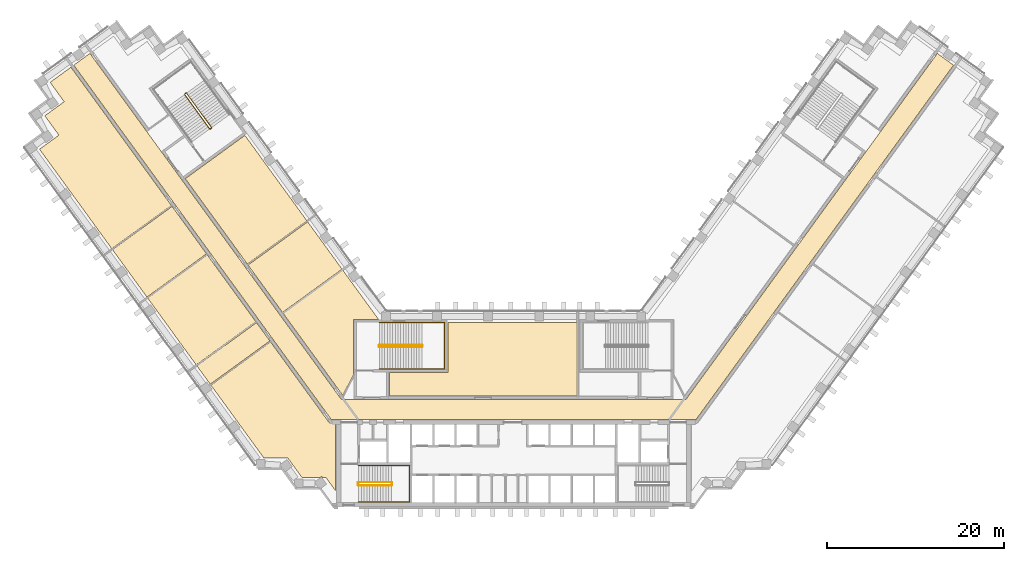
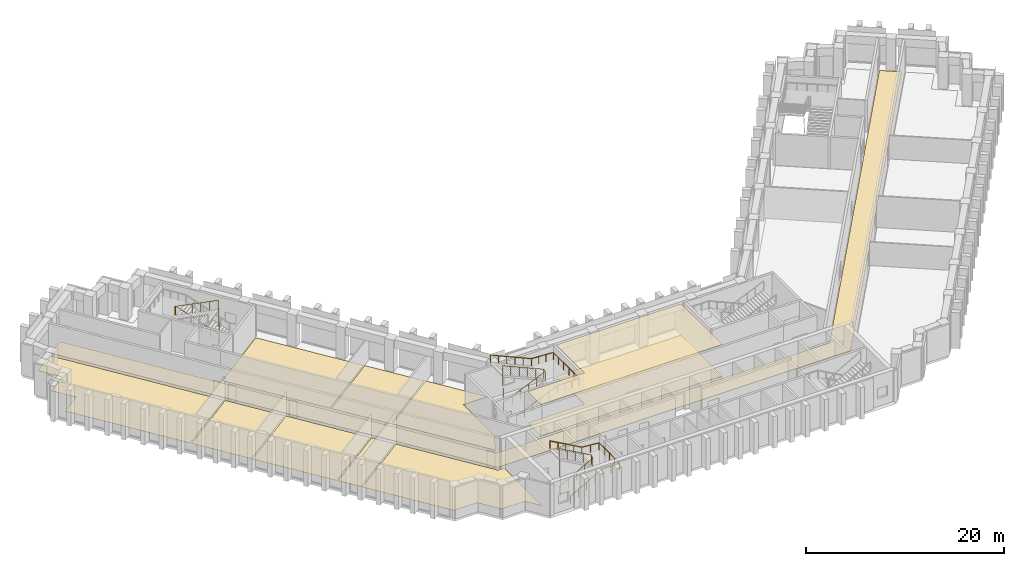
# One storey, part 12 of 14: 11 coverings, 5 railings.
"""IFC4 building model written with IfcOpenShell, lengths in metres."""

from ifc_helpers import new_model, si_unit, direction, frame, origin, origin_2d, place, context, subcontext, project, spatial, polyline, circle, outline, extrude, material, layer, layer_set, type_object, element, save


model = new_model("IFC4")

# Units and contexts
model_context = context("Model", 3, precision=1e-05, world=origin(), true_north=direction((0.0, 1.0)))
body_context = subcontext(model_context, "Body", "Model", "MODEL_VIEW")
ifc_project = project(units=[si_unit("LENGTHUNIT", "METRE"), si_unit("AREAUNIT", "SQUARE_METRE"), si_unit("VOLUMEUNIT", "CUBIC_METRE"), si_unit("PLANEANGLEUNIT", "RADIAN"), si_unit("MASSUNIT", "GRAM", prefix="KILO")], contexts=[model_context])

# Site, building, storey
site_placement = place(None, origin())
site = spatial("IfcSite", under=ifc_project, at=site_placement, CompositionType="ELEMENT")
building_placement = place(site_placement, origin())
building = spatial("IfcBuilding", under=site, at=building_placement, Name="Quipu Civic Tower", CompositionType="ELEMENT")
storey_placement = place(building_placement, frame((0.0, 0.0, 20.5)))
storey = spatial("IfcBuildingStorey", under=building, at=storey_placement, Name="L04", CompositionType="ELEMENT", Elevation=20.5)

# Coverings
ifc_material_1 = material(Name="Carpet tile on raised access floor")
ifc_layer_1 = layer(ifc_material_1, 0.02001953125)
ifc_layer_set_1 = layer_set([ifc_layer_1], Name="Carpet tile on raised access floor")
covering_type_1 = type_object("IfcCoveringType", Name="Carpet tile floor finish 20", PredefinedType="FLOORING", material=ifc_layer_set_1)
covering_1_placement = place(storey_placement, origin())
element("IfcCovering", 1, at=covering_1_placement, inside=storey, type_object=covering_type_1, Name="Carpet tile floor finish 20", PredefinedType="FLOORING", context=body_context, shape_type="SweptSolid", body=[
    extrude(outline(polyline([(-53.47998046875, 29.35791015625), (-51.297119140625, 30.945068359375), (-52.883056640625, 33.12890625), (-50.698974609375, 34.717041015625), (-52.284912109375, 36.90087890625), (-49.930908203125, 38.611083984375), (-38.60791015625, 23.02490234375), (-45.3310546875, 18.14111328125), (-53.47998046875, 29.35791015625)])), origin(), (0.0, 0.0, 1.0), 0.02001953125),
])
covering_2_placement = place(storey_placement, origin())
element("IfcCovering", 2, at=covering_2_placement, inside=storey, type_object=covering_type_1, Name="Carpet tile floor finish 20", PredefinedType="FLOORING", context=body_context, shape_type="SweptSolid", body=[
    extrude(outline(polyline([(-37.0380859375, 26.0380859375), (-30.31494140625, 30.922119140625), (-23.318115234375, 21.2900390625), (-30.041015625, 16.406005859375), (-37.0380859375, 26.0380859375)])), origin(), (0.0, 0.0, 1.0), 0.02001953125),
])
covering_3_placement = place(storey_placement, origin())
element("IfcCovering", 3, at=covering_3_placement, inside=storey, type_object=covering_type_1, Name="Carpet tile floor finish 20", PredefinedType="FLOORING", context=body_context, shape_type="SweptSolid", body=[
    extrude(outline(polyline([(-34.138916015625, 2.738037109375), (-27.416015625, 7.62109375), (-20.77490234375, -1.51904296875), (-20.070068359375, -1.52001953125), (-20.070068359375, -9.195068359375), (-21.196044921875, -7.64599609375), (-21.597900390625, -7.64599609375), (-21.64111328125, -7.5869140625), (-21.64404296875, -7.5830078125), (-21.64697265625, -7.580078125), (-21.65087890625, -7.576904296875), (-21.655029296875, -7.573974609375), (-21.658935546875, -7.572021484375), (-21.6640625, -7.570068359375), (-21.6689453125, -7.568115234375), (-21.673095703125, -7.56689453125), (-21.677978515625, -7.56689453125), (-21.68310546875, -7.56689453125), (-21.68798828125, -7.56689453125), (-21.693115234375, -7.568115234375), (-21.697998046875, -7.569091796875), (-21.701904296875, -7.571044921875), (-21.7060546875, -7.572998046875), (-21.7109375, -7.575927734375), (-21.806884765625, -7.64599609375), (-23.89501953125, -7.64599609375), (-25.48193359375, -5.4619140625), (-28.181884765625, -5.4609375), (-34.138916015625, 2.738037109375)])), origin(), (0.0, 0.0, 1.0), 0.02001953125),
])
covering_4_placement = place(storey_placement, origin())
element("IfcCovering", 4, at=covering_4_placement, inside=storey, type_object=covering_type_1, Name="Carpet tile floor finish 20", PredefinedType="FLOORING", context=body_context, shape_type="SweptSolid", body=[
    extrude(outline(polyline([(-41.281005859375, 12.56689453125), (-34.556884765625, 17.450927734375), (-29.0859375, 9.9189453125), (-35.80908203125, 5.034912109375), (-41.281005859375, 12.56689453125)])), origin(), (0.0, 0.0, 1.0), 0.02001953125),
])
covering_5_placement = place(storey_placement, origin())
element("IfcCovering", 5, at=covering_5_placement, inside=storey, type_object=covering_type_1, Name="Carpet tile floor finish 20", PredefinedType="FLOORING", context=body_context, shape_type="SweptSolid", body=[
    extrude(outline(polyline([(-29.9580078125, 16.29296875), (-23.235107421875, 21.177001953125), (-19.35107421875, 15.8291015625), (-26.073974609375, 10.946044921875), (-29.9580078125, 16.29296875)])), origin(), (0.0, 0.0, 1.0), 0.02001953125),
])
covering_6_placement = place(storey_placement, origin())
element("IfcCovering", 6, at=covering_6_placement, inside=storey, type_object=covering_type_1, Name="Carpet tile floor finish 20", PredefinedType="FLOORING", context=body_context, shape_type="SweptSolid", body=[
    extrude(outline(polyline([(-45.248046875, 18.028076171875), (-38.52490234375, 22.912109375), (-34.639892578125, 17.56396484375), (-41.364013671875, 12.679931640625), (-45.248046875, 18.028076171875)])), origin(), (0.0, 0.0, 1.0), 0.02001953125),
])
covering_7_placement = place(storey_placement, origin())
element("IfcCovering", 7, at=covering_7_placement, inside=storey, type_object=covering_type_1, Name="Carpet tile floor finish 20", PredefinedType="FLOORING", context=body_context, shape_type="SweptSolid", body=[
    extrude(outline(polyline([(-14.030029296875, 1.52001953125), (-14.030029296875, 4.179931640625), (-7.429931640625, 4.180908203125), (-7.429931640625, 9.830078125), (7.1279296875, 9.830078125), (7.1279296875, 1.52001953125), (-14.030029296875, 1.52001953125)])), origin(), (0.0, 0.0, 1.0), 0.02001953125),
])
ifc_material_2 = material(Name="Ceramic floor tile")
ifc_layer_2 = layer(ifc_material_2, 0.030029296875)
ifc_layer_set_2 = layer_set([ifc_layer_2], Name="Ceramic floor tile")
covering_type_2 = type_object("IfcCoveringType", Name="Ceramic tile floor finish 30", PredefinedType="FLOORING", material=ifc_layer_set_2)
covering_8_placement = place(storey_placement, origin())
element("IfcCovering", 8, at=covering_8_placement, inside=storey, type_object=covering_type_2, Name="Ceramic tile floor finish 30", PredefinedType="FLOORING", context=body_context, shape_type="SweptSolid", body=[
    extrude(outline(polyline([(-35.72607421875, 4.922119140625), (-29.0029296875, 9.805908203125), (-27.4990234375, 7.73388671875), (-34.221923828125, 2.85107421875), (-35.72607421875, 4.922119140625)])), origin(), (0.0, 0.0, 1.0), 0.030029296875),
])
ifc_material_3 = material(Name="Gypsum plasterboard ceiling")
ifc_layer_3 = layer(ifc_material_3, 0.014892578125)
ifc_layer_set_3 = layer_set([ifc_layer_3], Name="Gypsum plasterboard ceiling")
covering_type_3 = type_object("IfcCoveringType", Name="Plasterboard ceiling 15", PredefinedType="CEILING", material=ifc_layer_set_3)
covering_9_placement = place(storey_placement, frame((0.0, 0.0, 3.885009765625)))
element("IfcCovering", 9, at=covering_9_placement, inside=storey, type_object=covering_type_3, Name="Plasterboard ceiling 15", PredefinedType="CEILING", context=body_context, shape_type="SweptSolid", body=[
    extrude(outline(polyline([(-14.030029296875, 1.52001953125), (-14.030029296875, 4.179931640625), (-7.429931640625, 4.180908203125), (-7.429931640625, 9.830078125), (7.1279296875, 9.830078125), (7.1279296875, 1.52001953125), (-14.030029296875, 1.52001953125)])), origin(), (0.0, 0.0, 1.0), 0.014892578125),
])
ifc_material_4 = material(Name="Sealed cement screed")
ifc_layer_4 = layer(ifc_material_4, 0.050048828125)
ifc_layer_set_4 = layer_set([ifc_layer_4], Name="Sealed cement screed")
covering_type_4 = type_object("IfcCoveringType", Name="Sealed screed floor finish 50", PredefinedType="FLOORING", material=ifc_layer_set_4)
covering_10_placement = place(storey_placement, origin())
element("IfcCovering", 10, at=covering_10_placement, inside=storey, type_object=covering_type_4, Name="Sealed screed floor finish 50", PredefinedType="FLOORING", context=body_context, shape_type="SweptSolid", body=[
    extrude(outline(polyline([(-25.990966796875, 10.8330078125), (-19.26806640625, 15.716064453125), (-15.238037109375, 10.169921875), (-18.070068359375, 10.1689453125), (-18.070068359375, 3.94189453125), (-19.27197265625, 1.583984375), (-25.990966796875, 10.8330078125)])), origin(), (0.0, 0.0, 1.0), 0.050048828125),
])

# Railings
ifc_material_5 = material(Name="Stainless steel", Category="steel")
railing_type_1 = type_object("IfcRailingType", Name="Stair guard 1100", PredefinedType="GUARDRAIL", material=ifc_material_5)
railing_1_placement = place(storey_placement, frame((-17.5, -8.550048828125, 0.173095703125)))
element("IfcRailing", 11, at=railing_1_placement, inside=storey, type_object=railing_type_1, Name="Stair 1 guard", PredefinedType="GUARDRAIL", context=body_context, shape_type="SweptSolid", body=[
    extrude(circle(Radius=0.02392578125, at=origin_2d()), frame((0.0, 0.0, 1.076171875), z_axis=(0.873133609054, 0.0, 0.487480974747), x_axis=(0.0, 1.0, 0.0)), (0.0, 0.0, 1.0), 4.260498046875),
    extrude(circle(Radius=0.02392578125, at=origin_2d()), frame((3.719970703125, 0.0, 3.15283203125), z_axis=(0.707106781187, 0.707106781187, 0.0), x_axis=(-0.707106781187, 0.707106781187, 0.0)), (0.0, 0.0, 1.0), 0.07080078125),
    extrude(circle(Radius=0.02392578125, at=origin_2d()), frame((3.77001953125, 0.050048828125, 3.15283203125), z_axis=(0.0, 1.0, 0.0), x_axis=(-1.0, 0.0, 0.0)), (0.0, 0.0, 1.0), 0.25),
    extrude(circle(Radius=0.02392578125, at=origin_2d()), frame((3.77001953125, 0.300048828125, 3.15283203125), z_axis=(-0.267629722418, 0.267629722418, 0.925607186314), x_axis=(-0.707106781187, -0.707106781187, 0.0)), (0.0, 0.0, 1.0), 0.18701171875),
    extrude(circle(Radius=0.02392578125, at=origin_2d()), frame((3.719970703125, 0.35009765625, 3.326171875), z_axis=(-0.873133609054, 0.0, 0.487480974747), x_axis=(0.0, -1.0, 0.0)), (0.0, 0.0, 1.0), 4.260498046875),
    extrude(circle(Radius=0.02392578125, at=origin_2d()), frame((0.0, 0.35009765625, 5.40283203125), z_axis=(-0.011096637166, -0.066525693058, -0.997723006053), x_axis=(0.986372223864, -0.164529134168, 0.0)), (0.0, 0.0, 1.0), 4.51025390625),
    extrude(circle(Radius=0.02392578125, at=origin_2d()), frame((-0.050048828125, 0.050048828125, 0.90283203125), z_axis=(0.0, 1.0, 0.0), x_axis=(-1.0, 0.0, 0.0)), (0.0, 0.0, 1.0), 0.25),
    extrude(circle(Radius=0.02099609375, at=origin_2d()), origin(), (0.0, 0.0, 1.0), 1.052001953125),
    extrude(circle(Radius=0.02099609375, at=origin_2d()), frame((0.929931640625, 0.0, 0.519287109375)), (0.0, 0.0, 1.0), 1.052001953125),
    extrude(circle(Radius=0.02099609375, at=origin_2d()), frame((1.85986328125, 0.0, 1.03857421875)), (0.0, 0.0, 1.0), 1.052001953125),
    extrude(circle(Radius=0.02099609375, at=origin_2d()), frame((2.7900390625, 0.0, 1.5576171875)), (0.0, 0.0, 1.0), 1.052001953125),
    extrude(circle(Radius=0.02099609375, at=origin_2d()), frame((3.719970703125, 0.0, 2.076904296875)), (0.0, 0.0, 1.0), 1.052001953125),
    extrude(circle(Radius=0.02099609375, at=origin_2d()), frame((3.77001953125, 0.050048828125, 2.076904296875)), (0.0, 0.0, 1.0), 1.052001953125),
    extrude(circle(Radius=0.02099609375, at=origin_2d()), frame((3.77001953125, 0.300048828125, 2.076904296875)), (0.0, 0.0, 1.0), 1.052001953125),
    extrude(circle(Radius=0.02099609375, at=origin_2d()), frame((3.719970703125, 0.35009765625, 2.25)), (0.0, 0.0, 1.0), 1.052001953125),
    extrude(circle(Radius=0.02099609375, at=origin_2d()), frame((2.7900390625, 0.35009765625, 2.769287109375)), (0.0, 0.0, 1.0), 1.052001953125),
    extrude(circle(Radius=0.02099609375, at=origin_2d()), frame((1.85986328125, 0.35009765625, 3.28857421875)), (0.0, 0.0, 1.0), 1.052001953125),
    extrude(circle(Radius=0.02099609375, at=origin_2d()), frame((0.929931640625, 0.35009765625, 3.8076171875)), (0.0, 0.0, 1.0), 1.052001953125),
    extrude(circle(Radius=0.02099609375, at=origin_2d()), frame((0.0, 0.35009765625, 4.326904296875)), (0.0, 0.0, 1.0), 1.052001953125),
    extrude(circle(Radius=0.02099609375, at=origin_2d()), frame((-0.012451171875, 0.275146484375, 3.201904296875)), (0.0, 0.0, 1.0), 1.052001953125),
    extrude(circle(Radius=0.02099609375, at=origin_2d()), frame((-0.02490234375, 0.2001953125, 2.076904296875)), (0.0, 0.0, 1.0), 1.052001953125),
    extrude(circle(Radius=0.02099609375, at=origin_2d()), frame((-0.03759765625, 0.125, 0.951904296875)), (0.0, 0.0, 1.0), 1.052001953125),
    extrude(circle(Radius=0.02099609375, at=origin_2d()), frame((-0.050048828125, 0.050048828125, -0.173095703125)), (0.0, 0.0, 1.0), 1.052001953125),
    extrude(circle(Radius=0.02099609375, at=origin_2d()), frame((-0.050048828125, 0.300048828125, -0.173095703125)), (0.0, 0.0, 1.0), 1.052001953125),
])
railing_2_placement = place(storey_placement, frame((-15.14990234375, 7.050048828125, 0.13232421875)))
element("IfcRailing", 12, at=railing_2_placement, inside=storey, type_object=railing_type_1, Name="Stair 3 guard", PredefinedType="GUARDRAIL", context=body_context, shape_type="SweptSolid", body=[
    extrude(circle(Radius=0.02392578125, at=origin_2d()), frame((0.0, 0.0, 1.076171875), z_axis=(0.914909713927, 0.0, 0.403658538077), x_axis=(0.0, 1.0, 0.0)), (0.0, 0.0, 1.0), 5.24609375),
    extrude(circle(Radius=0.02392578125, at=origin_2d()), frame((4.7998046875, 0.0, 3.19384765625), z_axis=(0.707106781187, 0.707106781187, 0.0), x_axis=(-0.707106781187, 0.707106781187, 0.0)), (0.0, 0.0, 1.0), 0.07080078125),
    extrude(circle(Radius=0.02392578125, at=origin_2d()), frame((4.849853515625, 0.050048828125, 3.19384765625), z_axis=(0.0, 1.0, 0.0), x_axis=(-1.0, 0.0, 0.0)), (0.0, 0.0, 1.0), 0.14990234375),
    extrude(circle(Radius=0.02392578125, at=origin_2d()), frame((4.849853515625, 0.199951171875, 3.19384765625), z_axis=(-0.333514590198, 0.333514590198, 0.881780038474), x_axis=(-0.707106781187, -0.707106781187, 0.0)), (0.0, 0.0, 1.0), 0.150146484375),
    extrude(circle(Radius=0.02392578125, at=origin_2d()), frame((4.7998046875, 0.25, 3.326171875), z_axis=(-0.914909713927, 0.0, 0.403658538077), x_axis=(0.0, -1.0, 0.0)), (0.0, 0.0, 1.0), 5.24609375),
    extrude(circle(Radius=0.02392578125, at=origin_2d()), frame((0.0, 0.25, 5.44384765625), z_axis=(-0.011110312959, -0.044387055188, -0.998952626643), x_axis=(0.970072785993, -0.242814311512, 0.0)), (0.0, 0.0, 1.0), 4.504638671875),
    extrude(circle(Radius=0.02392578125, at=origin_2d()), frame((-0.050048828125, 0.050048828125, 0.94384765625), z_axis=(0.0, 1.0, 0.0), x_axis=(-1.0, 0.0, 0.0)), (0.0, 0.0, 1.0), 0.14990234375),
    extrude(circle(Radius=0.02099609375, at=origin_2d()), origin(), (0.0, 0.0, 1.0), 1.052001953125),
    extrude(circle(Radius=0.02099609375, at=origin_2d()), frame((0.9599609375, 0.0, 0.423583984375)), (0.0, 0.0, 1.0), 1.052001953125),
    extrude(circle(Radius=0.02099609375, at=origin_2d()), frame((1.919921875, 0.0, 0.84716796875)), (0.0, 0.0, 1.0), 1.052001953125),
    extrude(circle(Radius=0.02099609375, at=origin_2d()), frame((2.8798828125, 0.0, 1.2705078125)), (0.0, 0.0, 1.0), 1.052001953125),
    extrude(circle(Radius=0.02099609375, at=origin_2d()), frame((3.83984375, 0.0, 1.694091796875)), (0.0, 0.0, 1.0), 1.052001953125),
    extrude(circle(Radius=0.02099609375, at=origin_2d()), frame((4.7998046875, 0.0, 2.11767578125)), (0.0, 0.0, 1.0), 1.052001953125),
    extrude(circle(Radius=0.02099609375, at=origin_2d()), frame((4.849853515625, 0.050048828125, 2.11767578125)), (0.0, 0.0, 1.0), 1.052001953125),
    extrude(circle(Radius=0.02099609375, at=origin_2d()), frame((4.849853515625, 0.199951171875, 2.11767578125)), (0.0, 0.0, 1.0), 1.052001953125),
    extrude(circle(Radius=0.02099609375, at=origin_2d()), frame((4.7998046875, 0.25, 2.25)), (0.0, 0.0, 1.0), 1.052001953125),
    extrude(circle(Radius=0.02099609375, at=origin_2d()), frame((3.83984375, 0.25, 2.673583984375)), (0.0, 0.0, 1.0), 1.052001953125),
    extrude(circle(Radius=0.02099609375, at=origin_2d()), frame((2.8798828125, 0.25, 3.09716796875)), (0.0, 0.0, 1.0), 1.052001953125),
    extrude(circle(Radius=0.02099609375, at=origin_2d()), frame((1.919921875, 0.25, 3.5205078125)), (0.0, 0.0, 1.0), 1.052001953125),
    extrude(circle(Radius=0.02099609375, at=origin_2d()), frame((0.9599609375, 0.25, 3.944091796875)), (0.0, 0.0, 1.0), 1.052001953125),
    extrude(circle(Radius=0.02099609375, at=origin_2d()), frame((0.0, 0.25, 4.36767578125)), (0.0, 0.0, 1.0), 1.052001953125),
    extrude(circle(Radius=0.02099609375, at=origin_2d()), frame((-0.012451171875, 0.199951171875, 3.24267578125)), (0.0, 0.0, 1.0), 1.052001953125),
    extrude(circle(Radius=0.02099609375, at=origin_2d()), frame((-0.02490234375, 0.14990234375, 2.11767578125)), (0.0, 0.0, 1.0), 1.052001953125),
    extrude(circle(Radius=0.02099609375, at=origin_2d()), frame((-0.03759765625, 0.10009765625, 0.99267578125)), (0.0, 0.0, 1.0), 1.052001953125),
    extrude(circle(Radius=0.02099609375, at=origin_2d()), frame((-0.050048828125, 0.050048828125, -0.13232421875)), (0.0, 0.0, 1.0), 1.052001953125),
    extrude(circle(Radius=0.02099609375, at=origin_2d()), frame((-0.050048828125, 0.199951171875, -0.13232421875)), (0.0, 0.0, 1.0), 1.052001953125),
])
railing_3_placement = place(storey_placement, frame((-34.078857421875, 31.79736328125, 0.13232421875)))
element("IfcRailing", 13, at=railing_3_placement, inside=storey, type_object=railing_type_1, Name="Stair 6 guard", PredefinedType="GUARDRAIL", context=body_context, shape_type="SweptSolid", body=[
    extrude(circle(Radius=0.02392578125, at=origin_2d()), frame((0.0, 0.0, 1.076171875), z_axis=(-0.537761686143, 0.740190150552, 0.403647011561), x_axis=(-0.809026317077, -0.587772420479, 0.0)), (0.0, 0.0, 1.0), 5.246337890625),
    extrude(circle(Radius=0.02392578125, at=origin_2d()), frame((-2.8212890625, 3.88330078125, 3.19384765625), z_axis=(-0.987846838465, 0.155430446612, 0.0), x_axis=(-0.155430446612, -0.987846838465, 0.0)), (0.0, 0.0, 1.0), 0.07080078125),
    extrude(circle(Radius=0.02392578125, at=origin_2d()), frame((-2.89111328125, 3.894287109375, 3.19384765625), z_axis=(-0.809649071907, -0.586914287065, 0.0), x_axis=(0.586914287065, -0.809649071907, 0.0)), (0.0, 0.0, 1.0), 0.150146484375),
    extrude(circle(Radius=0.02392578125, at=origin_2d()), frame((-3.0126953125, 3.80615234375, 3.19384765625), z_axis=(-0.07323271701, -0.465434601444, 0.882047391549), x_axis=(0.987846838465, -0.155430446612, 0.0)), (0.0, 0.0, 1.0), 0.14990234375),
    extrude(circle(Radius=0.02392578125, at=origin_2d()), frame((-3.023681640625, 3.736328125, 3.326171875), z_axis=(0.537761686143, -0.740190150552, 0.403647011561), x_axis=(0.809026317077, 0.587772420479, 0.0)), (0.0, 0.0, 1.0), 5.246337890625),
    extrude(circle(Radius=0.02392578125, at=origin_2d()), frame((-0.202392578125, -0.14697265625, 5.44384765625), z_axis=(0.042490064781, 0.017126097539, -0.998950094438), x_axis=(-0.373837031195, 0.92749440651, 0.0)), (0.0, 0.0, 1.0), 4.504638671875),
    extrude(circle(Radius=0.02392578125, at=origin_2d()), frame((-0.010986328125, -0.06982421875, 0.94384765625), z_axis=(-0.809087927272, -0.587687609145, 0.0), x_axis=(0.587687609145, -0.809087927272, 0.0)), (0.0, 0.0, 1.0), 0.14990234375),
    extrude(circle(Radius=0.02099609375, at=origin_2d()), origin(), (0.0, 0.0, 1.0), 1.052001953125),
    extrude(circle(Radius=0.02099609375, at=origin_2d()), frame((-0.564208984375, 0.776611328125, 0.423583984375)), (0.0, 0.0, 1.0), 1.052001953125),
    extrude(circle(Radius=0.02099609375, at=origin_2d()), frame((-1.12841796875, 1.55322265625, 0.84716796875)), (0.0, 0.0, 1.0), 1.052001953125),
    extrude(circle(Radius=0.02099609375, at=origin_2d()), frame((-1.69287109375, 2.330078125, 1.2705078125)), (0.0, 0.0, 1.0), 1.052001953125),
    extrude(circle(Radius=0.02099609375, at=origin_2d()), frame((-2.257080078125, 3.106689453125, 1.694091796875)), (0.0, 0.0, 1.0), 1.052001953125),
    extrude(circle(Radius=0.02099609375, at=origin_2d()), frame((-2.8212890625, 3.88330078125, 2.11767578125)), (0.0, 0.0, 1.0), 1.052001953125),
    extrude(circle(Radius=0.02099609375, at=origin_2d()), frame((-2.89111328125, 3.894287109375, 2.11767578125)), (0.0, 0.0, 1.0), 1.052001953125),
    extrude(circle(Radius=0.02099609375, at=origin_2d()), frame((-3.0126953125, 3.80615234375, 2.11767578125)), (0.0, 0.0, 1.0), 1.052001953125),
    extrude(circle(Radius=0.02099609375, at=origin_2d()), frame((-3.023681640625, 3.736328125, 2.25)), (0.0, 0.0, 1.0), 1.052001953125),
    extrude(circle(Radius=0.02099609375, at=origin_2d()), frame((-2.45947265625, 2.959716796875, 2.673583984375)), (0.0, 0.0, 1.0), 1.052001953125),
    extrude(circle(Radius=0.02099609375, at=origin_2d()), frame((-1.895263671875, 2.18310546875, 3.09716796875)), (0.0, 0.0, 1.0), 1.052001953125),
    extrude(circle(Radius=0.02099609375, at=origin_2d()), frame((-1.330810546875, 1.40625, 3.5205078125)), (0.0, 0.0, 1.0), 1.052001953125),
    extrude(circle(Radius=0.02099609375, at=origin_2d()), frame((-0.7666015625, 0.629638671875, 3.944091796875)), (0.0, 0.0, 1.0), 1.052001953125),
    extrude(circle(Radius=0.02099609375, at=origin_2d()), frame((-0.202392578125, -0.14697265625, 4.36767578125)), (0.0, 0.0, 1.0), 1.052001953125),
    extrude(circle(Radius=0.02099609375, at=origin_2d()), frame((-0.154541015625, -0.127685546875, 3.24267578125)), (0.0, 0.0, 1.0), 1.052001953125),
    extrude(circle(Radius=0.02099609375, at=origin_2d()), frame((-0.106689453125, -0.1083984375, 2.11767578125)), (0.0, 0.0, 1.0), 1.052001953125),
    extrude(circle(Radius=0.02099609375, at=origin_2d()), frame((-0.058837890625, -0.089111328125, 0.99267578125)), (0.0, 0.0, 1.0), 1.052001953125),
    extrude(circle(Radius=0.02099609375, at=origin_2d()), frame((-0.010986328125, -0.06982421875, -0.13232421875)), (0.0, 0.0, 1.0), 1.052001953125),
    extrude(circle(Radius=0.02099609375, at=origin_2d()), frame((-0.13232421875, -0.157958984375, -0.13232421875)), (0.0, 0.0, 1.0), 1.052001953125),
])
ifc_material_6 = material(Name="Stainless steel", Category="steel")
railing_type_2 = type_object("IfcRailingType", Name="Stair handrail", PredefinedType="HANDRAIL", material=ifc_material_6)
railing_4_placement = place(storey_placement, frame((-17.5, -10.449951171875, 0.173095703125)))
element("IfcRailing", 14, at=railing_4_placement, inside=storey, type_object=railing_type_2, Name="Stair 1 handrail", PredefinedType="HANDRAIL", context=body_context, shape_type="SweptSolid", body=[
    extrude(circle(Radius=0.02392578125, at=origin_2d()), frame((0.0, 0.0, 0.8759765625), z_axis=(0.873133609054, 0.0, 0.487480974747), x_axis=(0.0, 1.0, 0.0)), (0.0, 0.0, 1.0), 4.260498046875),
    extrude(circle(Radius=0.02392578125, at=origin_2d()), frame((3.719970703125, 0.0, 2.95263671875), z_axis=(1.0, 0.0, 0.0), x_axis=(0.0, 1.0, 0.0)), (0.0, 0.0, 1.0), 2.030029296875),
    extrude(circle(Radius=0.02392578125, at=origin_2d()), frame((5.75, 0.0, 2.95263671875), z_axis=(0.0, 1.0, 0.0), x_axis=(-1.0, 0.0, 0.0)), (0.0, 0.0, 1.0), 4.14990234375),
    extrude(circle(Radius=0.02392578125, at=origin_2d()), frame((5.75, 4.14990234375, 2.95263671875), z_axis=(-0.996384422715, 0.0, 0.084959297138), x_axis=(0.0, -1.0, 0.0)), (0.0, 0.0, 1.0), 2.037353515625),
    extrude(circle(Radius=0.02392578125, at=origin_2d()), frame((3.719970703125, 4.14990234375, 3.1259765625), z_axis=(-0.873133609054, 0.0, 0.487480974747), x_axis=(0.0, -1.0, 0.0)), (0.0, 0.0, 1.0), 4.260498046875),
    extrude(circle(Radius=0.02099609375, at=origin_2d()), origin(), (0.0, 0.0, 1.0), 0.851806640625),
    extrude(circle(Radius=0.02099609375, at=origin_2d()), frame((0.929931640625, 0.0, 0.519287109375)), (0.0, 0.0, 1.0), 0.851806640625),
    extrude(circle(Radius=0.02099609375, at=origin_2d()), frame((1.85986328125, 0.0, 1.03857421875)), (0.0, 0.0, 1.0), 0.851806640625),
    extrude(circle(Radius=0.02099609375, at=origin_2d()), frame((2.7900390625, 0.0, 1.5576171875)), (0.0, 0.0, 1.0), 0.851806640625),
    extrude(circle(Radius=0.02099609375, at=origin_2d()), frame((3.719970703125, 0.0, 2.076904296875)), (0.0, 0.0, 1.0), 0.851806640625),
    extrude(circle(Radius=0.02099609375, at=origin_2d()), frame((4.73486328125, 0.0, 2.076904296875)), (0.0, 0.0, 1.0), 0.851806640625),
    extrude(circle(Radius=0.02099609375, at=origin_2d()), frame((5.75, 0.0, 2.076904296875)), (0.0, 0.0, 1.0), 0.851806640625),
    extrude(circle(Radius=0.02099609375, at=origin_2d()), frame((5.75, 1.03759765625, 2.076904296875)), (0.0, 0.0, 1.0), 0.851806640625),
    extrude(circle(Radius=0.02099609375, at=origin_2d()), frame((5.75, 2.074951171875, 2.076904296875)), (0.0, 0.0, 1.0), 0.851806640625),
    extrude(circle(Radius=0.02099609375, at=origin_2d()), frame((5.75, 3.1123046875, 2.076904296875)), (0.0, 0.0, 1.0), 0.851806640625),
    extrude(circle(Radius=0.02099609375, at=origin_2d()), frame((5.75, 4.14990234375, 2.076904296875)), (0.0, 0.0, 1.0), 0.851806640625),
    extrude(circle(Radius=0.02099609375, at=origin_2d()), frame((4.73486328125, 4.14990234375, 2.16357421875)), (0.0, 0.0, 1.0), 0.851806640625),
    extrude(circle(Radius=0.02099609375, at=origin_2d()), frame((3.719970703125, 4.14990234375, 2.25)), (0.0, 0.0, 1.0), 0.851806640625),
    extrude(circle(Radius=0.02099609375, at=origin_2d()), frame((2.7900390625, 4.14990234375, 2.769287109375)), (0.0, 0.0, 1.0), 0.851806640625),
    extrude(circle(Radius=0.02099609375, at=origin_2d()), frame((1.85986328125, 4.14990234375, 3.28857421875)), (0.0, 0.0, 1.0), 0.851806640625),
    extrude(circle(Radius=0.02099609375, at=origin_2d()), frame((0.929931640625, 4.14990234375, 3.8076171875)), (0.0, 0.0, 1.0), 0.851806640625),
    extrude(circle(Radius=0.02099609375, at=origin_2d()), frame((0.0, 4.14990234375, 4.326904296875)), (0.0, 0.0, 1.0), 0.851806640625),
])
railing_5_placement = place(storey_placement, frame((-15.14990234375, 4.550048828125, 0.13232421875)))
element("IfcRailing", 15, at=railing_5_placement, inside=storey, type_object=railing_type_2, Name="Stair 3 handrail", PredefinedType="HANDRAIL", context=body_context, shape_type="SweptSolid", body=[
    extrude(circle(Radius=0.02392578125, at=origin_2d()), frame((0.0, 0.0, 0.8759765625), z_axis=(0.914909713927, 0.0, 0.403658538077), x_axis=(0.0, 1.0, 0.0)), (0.0, 0.0, 1.0), 5.24609375),
    extrude(circle(Radius=0.02392578125, at=origin_2d()), frame((4.7998046875, 0.0, 2.99365234375), z_axis=(1.0, 0.0, 0.0), x_axis=(0.0, 1.0, 0.0)), (0.0, 0.0, 1.0), 2.550048828125),
    extrude(circle(Radius=0.02392578125, at=origin_2d()), frame((7.349853515625, 0.0, 2.99365234375), z_axis=(0.0, 1.0, 0.0), x_axis=(-1.0, 0.0, 0.0)), (0.0, 0.0, 1.0), 5.25),
    extrude(circle(Radius=0.02392578125, at=origin_2d()), frame((7.349853515625, 5.25, 2.99365234375), z_axis=(-0.998656382309, 0.0, 0.051821135396), x_axis=(0.0, -1.0, 0.0)), (0.0, 0.0, 1.0), 2.553466796875),
    extrude(circle(Radius=0.02392578125, at=origin_2d()), frame((4.7998046875, 5.25, 3.1259765625), z_axis=(-0.914909713927, 0.0, 0.403658538077), x_axis=(0.0, -1.0, 0.0)), (0.0, 0.0, 1.0), 5.24609375),
    extrude(circle(Radius=0.02099609375, at=origin_2d()), origin(), (0.0, 0.0, 1.0), 0.851806640625),
    extrude(circle(Radius=0.02099609375, at=origin_2d()), frame((0.9599609375, 0.0, 0.423583984375)), (0.0, 0.0, 1.0), 0.851806640625),
    extrude(circle(Radius=0.02099609375, at=origin_2d()), frame((1.919921875, 0.0, 0.84716796875)), (0.0, 0.0, 1.0), 0.851806640625),
    extrude(circle(Radius=0.02099609375, at=origin_2d()), frame((2.8798828125, 0.0, 1.2705078125)), (0.0, 0.0, 1.0), 0.851806640625),
    extrude(circle(Radius=0.02099609375, at=origin_2d()), frame((3.83984375, 0.0, 1.694091796875)), (0.0, 0.0, 1.0), 0.851806640625),
    extrude(circle(Radius=0.02099609375, at=origin_2d()), frame((4.7998046875, 0.0, 2.11767578125)), (0.0, 0.0, 1.0), 0.851806640625),
    extrude(circle(Radius=0.02099609375, at=origin_2d()), frame((5.64990234375, 0.0, 2.11767578125)), (0.0, 0.0, 1.0), 0.851806640625),
    extrude(circle(Radius=0.02099609375, at=origin_2d()), frame((6.499755859375, 0.0, 2.11767578125)), (0.0, 0.0, 1.0), 0.851806640625),
    extrude(circle(Radius=0.02099609375, at=origin_2d()), frame((7.349853515625, 0.0, 2.11767578125)), (0.0, 0.0, 1.0), 0.851806640625),
    extrude(circle(Radius=0.02099609375, at=origin_2d()), frame((7.349853515625, 1.050048828125, 2.11767578125)), (0.0, 0.0, 1.0), 0.851806640625),
    extrude(circle(Radius=0.02099609375, at=origin_2d()), frame((7.349853515625, 2.10009765625, 2.11767578125)), (0.0, 0.0, 1.0), 0.851806640625),
    extrude(circle(Radius=0.02099609375, at=origin_2d()), frame((7.349853515625, 3.14990234375, 2.11767578125)), (0.0, 0.0, 1.0), 0.851806640625),
    extrude(circle(Radius=0.02099609375, at=origin_2d()), frame((7.349853515625, 4.199951171875, 2.11767578125)), (0.0, 0.0, 1.0), 0.851806640625),
    extrude(circle(Radius=0.02099609375, at=origin_2d()), frame((7.349853515625, 5.25, 2.11767578125)), (0.0, 0.0, 1.0), 0.851806640625),
    extrude(circle(Radius=0.02099609375, at=origin_2d()), frame((6.499755859375, 5.25, 2.161865234375)), (0.0, 0.0, 1.0), 0.851806640625),
    extrude(circle(Radius=0.02099609375, at=origin_2d()), frame((5.64990234375, 5.25, 2.205810546875)), (0.0, 0.0, 1.0), 0.851806640625),
    extrude(circle(Radius=0.02099609375, at=origin_2d()), frame((4.7998046875, 5.25, 2.25)), (0.0, 0.0, 1.0), 0.851806640625),
    extrude(circle(Radius=0.02099609375, at=origin_2d()), frame((3.83984375, 5.25, 2.673583984375)), (0.0, 0.0, 1.0), 0.851806640625),
    extrude(circle(Radius=0.02099609375, at=origin_2d()), frame((2.8798828125, 5.25, 3.09716796875)), (0.0, 0.0, 1.0), 0.851806640625),
    extrude(circle(Radius=0.02099609375, at=origin_2d()), frame((1.919921875, 5.25, 3.5205078125)), (0.0, 0.0, 1.0), 0.851806640625),
    extrude(circle(Radius=0.02099609375, at=origin_2d()), frame((0.9599609375, 5.25, 3.944091796875)), (0.0, 0.0, 1.0), 0.851806640625),
    extrude(circle(Radius=0.02099609375, at=origin_2d()), frame((0.0, 5.25, 4.36767578125)), (0.0, 0.0, 1.0), 0.851806640625),
])

# Covering
ifc_material_7 = material(Name="Terrazzo floor finish")
ifc_layer_5 = layer(ifc_material_7, 0.0400390625)
ifc_layer_set_5 = layer_set([ifc_layer_5], Name="Terrazzo floor finish")
covering_type_5 = type_object("IfcCoveringType", Name="Terrazzo floor finish 40", PredefinedType="FLOORING", material=ifc_layer_set_5)
covering_11_placement = place(storey_placement, origin())
element("IfcCovering", 16, at=covering_11_placement, inside=storey, type_object=covering_type_5, Name="Terrazzo floor finish 40", PredefinedType="FLOORING", context=body_context, shape_type="SweptSolid", body=[
    extrude(outline(polyline([(47.787109375, 40.16796875), (49.615966796875, 38.840087890625), (20.574951171875, -1.1298828125), (-20.574951171875, -1.1298828125), (-49.615966796875, 38.840087890625), (-47.787109375, 40.16796875), (-19.425048828125, 1.1298828125), (19.425048828125, 1.1298828125), (47.787109375, 40.16796875)])), origin(), (0.0, 0.0, 1.0), 0.0400390625),
])

save(model, "model.ifc")
